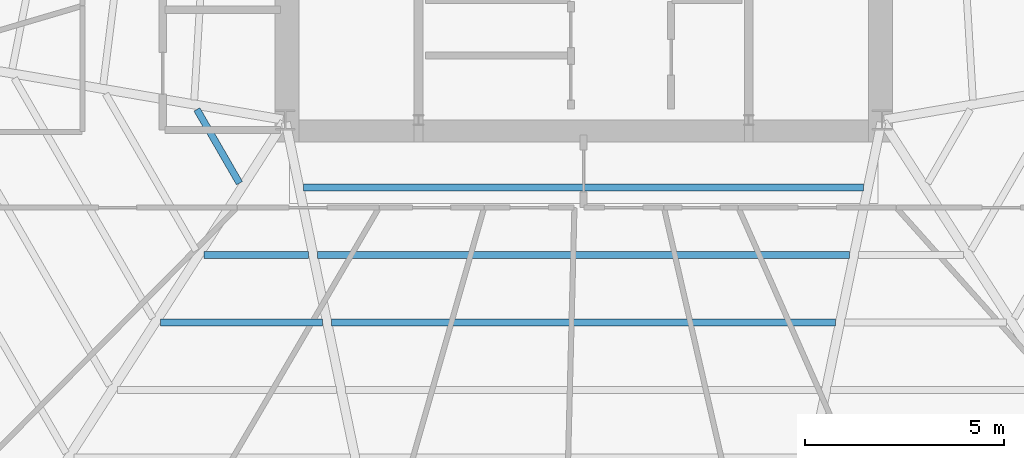
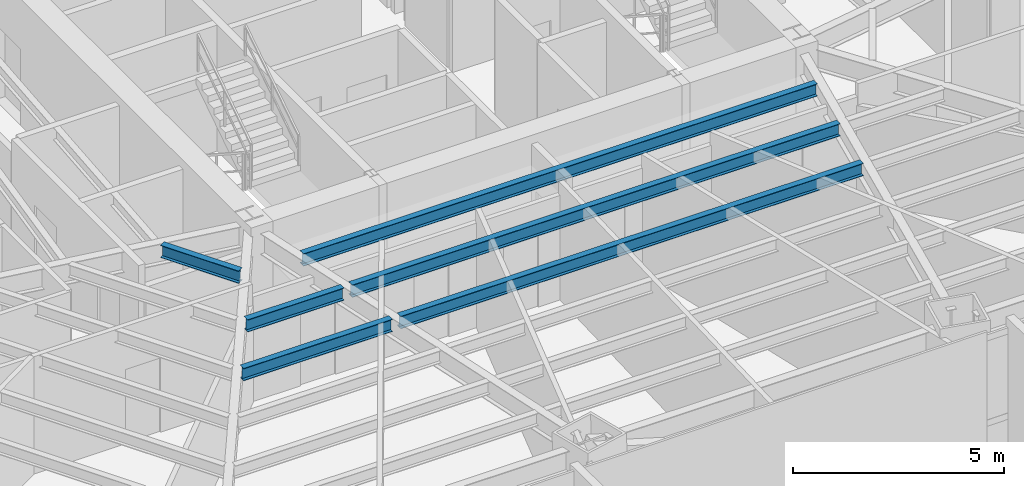
# One storey, part 10 of 36: 6 beams.
"""IFC4 building model written with IfcOpenShell, lengths in metres."""

from ifc_helpers import new_model, si_unit, direction, frame, origin, origin_2d, place, context, subcontext, project, spatial, i_section, extrude, source, transform, mapped, material, material_profile, profile_set, type_object, type_shapes, element, save


model = new_model("IFC4")

# Units and contexts
model_context = context("Model", 3, precision=1e-05, world=origin(), true_north=direction((0.0, 1.0)))
body_context = subcontext(model_context, "Body", "Model", "MODEL_VIEW")
ifc_project = project(units=[si_unit("LENGTHUNIT", "METRE"), si_unit("AREAUNIT", "SQUARE_METRE"), si_unit("VOLUMEUNIT", "CUBIC_METRE"), si_unit("PLANEANGLEUNIT", "RADIAN"), si_unit("MASSUNIT", "GRAM", prefix="KILO")], contexts=[model_context])

# Site, building, storey
site_placement = place(None, origin())
site = spatial("IfcSite", under=ifc_project, at=site_placement, CompositionType="ELEMENT")
building_placement = place(site_placement, origin())
building = spatial("IfcBuilding", under=site, at=building_placement, Name="Caelisora Broadcast Tower", CompositionType="ELEMENT")
storey_placement = place(building_placement, frame((0.0, 0.0, 60.449951171875)))
storey = spatial("IfcBuildingStorey", under=building, at=storey_placement, Name="L15", CompositionType="ELEMENT", Elevation=60.449951171875)

# Beams
ifc_material = material(Name="Steel Grade 350 (AS/NZS 3679.1)", Category="steel")
ifc_material_profile = material_profile(ifc_material, i_section(OverallWidth=0.172119140625, OverallDepth=0.358642578125, WebThickness=0.008056640625, FlangeThickness=0.012939453125, at=origin_2d()), Name="Steel Grade 350 (AS/NZS 3679.1)")
ifc_profile_set = profile_set([ifc_material_profile], Name="Steel Grade 350 (AS/NZS 3679.1)")
beam_type = type_object("IfcBeamType", Name="SB02", PredefinedType="JOIST", material=ifc_profile_set)
shared_shape_1 = source(origin(), body_context, "Body", "SweptSolid", [
    extrude(i_section(OverallWidth=0.172119140625, OverallDepth=0.358642578125, WebThickness=0.008056640625, FlangeThickness=0.012939453125, at=origin_2d()), origin(), (0.0, 0.0, 1.0), 2.140869140625),
])
beam_1_placement = place(storey_placement, frame((28.27783203125, 17.666015625, 3.220703125), z_axis=(0.499916586545, -0.86607355721, 0.0), x_axis=(0.86607355721, 0.499916586545, 0.0)))
element("IfcBeam", 1, at=beam_1_placement, inside=storey, type_object=beam_type, Name="L15 beam SB02", PredefinedType="JOIST", context=body_context, shape_type="MappedRepresentation", body=[
    mapped(shared_shape_1, transform((0.0, 0.0, 0.0), scale=1.0)),
])
shared_shape_2 = source(origin(), body_context, "Body", "SweptSolid", [
    extrude(i_section(OverallWidth=0.172119140625, OverallDepth=0.358642578125, WebThickness=0.008056640625, FlangeThickness=0.012939453125, at=origin_2d()), origin(), (0.0, 0.0, 1.0), 2.635009765625),
])
beam_2_placement = place(storey_placement, frame((28.4541015625, 14.006591796875, 3.220703125), z_axis=(1.0, 0.0, 0.0), x_axis=(0.0, 1.0, 0.0)))
element("IfcBeam", 2, at=beam_2_placement, inside=storey, type_object=beam_type, Name="L15 beam SB02", PredefinedType="JOIST", context=body_context, shape_type="MappedRepresentation", body=[
    mapped(shared_shape_2, transform((0.0, 0.0, 0.0), scale=1.0)),
])
shared_shape_3 = source(origin(), body_context, "Body", "SweptSolid", [
    extrude(i_section(OverallWidth=0.172119140625, OverallDepth=0.358642578125, WebThickness=0.008056640625, FlangeThickness=0.012939453125, at=origin_2d()), origin(), (0.0, 0.0, 1.0), 4.0751953125),
])
beam_3_placement = place(storey_placement, frame((27.364990234375, 12.309814453125, 3.220703125), z_axis=(1.0, 0.0, 0.0), x_axis=(0.0, 1.0, 0.0)))
element("IfcBeam", 3, at=beam_3_placement, inside=storey, type_object=beam_type, Name="L15 beam SB02", PredefinedType="JOIST", context=body_context, shape_type="MappedRepresentation", body=[
    mapped(shared_shape_3, transform((0.0, 0.0, 0.0), scale=1.0)),
])
shared_shape_4 = source(origin(), body_context, "Body", "SweptSolid", [
    extrude(i_section(OverallWidth=0.172119140625, OverallDepth=0.358642578125, WebThickness=0.008056640625, FlangeThickness=0.012939453125, at=origin_2d()), origin(), (0.0, 0.0, 1.0), 14.07080078125),
])
beam_4_placement = place(storey_placement, frame((30.964599609375, 15.703369140625, 3.220703125), z_axis=(1.0, 0.0, 0.0), x_axis=(0.0, 1.0, 0.0)))
element("IfcBeam", 4, at=beam_4_placement, inside=storey, type_object=beam_type, Name="L15 beam SB02", PredefinedType="JOIST", context=body_context, shape_type="MappedRepresentation", body=[
    mapped(shared_shape_4, transform((0.0, 0.0, 0.0), scale=1.0)),
])
shared_shape_5 = source(origin(), body_context, "Body", "SweptSolid", [
    extrude(i_section(OverallWidth=0.172119140625, OverallDepth=0.358642578125, WebThickness=0.008056640625, FlangeThickness=0.012939453125, at=origin_2d()), origin(), (0.0, 0.0, 1.0), 13.3681640625),
])
beam_5_placement = place(storey_placement, frame((31.31591796875, 14.006591796875, 3.220703125), z_axis=(1.0, 0.0, 0.0), x_axis=(0.0, 1.0, 0.0)))
element("IfcBeam", 5, at=beam_5_placement, inside=storey, type_object=beam_type, Name="L15 beam SB02", PredefinedType="JOIST", context=body_context, shape_type="MappedRepresentation", body=[
    mapped(shared_shape_5, transform((0.0, 0.0, 0.0), scale=1.0)),
])
shared_shape_6 = source(origin(), body_context, "Body", "SweptSolid", [
    extrude(i_section(OverallWidth=0.172119140625, OverallDepth=0.358642578125, WebThickness=0.008056640625, FlangeThickness=0.012939453125, at=origin_2d()), origin(), (0.0, 0.0, 1.0), 12.666015625),
])
type_shapes(beam_type, [shared_shape_1, shared_shape_2, shared_shape_3, shared_shape_4, shared_shape_5, shared_shape_6])
beam_6_placement = place(storey_placement, frame((31.6669921875, 12.309814453125, 3.220703125), z_axis=(1.0, 0.0, 0.0), x_axis=(0.0, 1.0, 0.0)))
element("IfcBeam", 6, at=beam_6_placement, inside=storey, type_object=beam_type, Name="L15 beam SB02", PredefinedType="JOIST", context=body_context, shape_type="MappedRepresentation", body=[
    mapped(shared_shape_6, transform((0.0, 0.0, 0.0), scale=1.0)),
])

save(model, "model.ifc")
